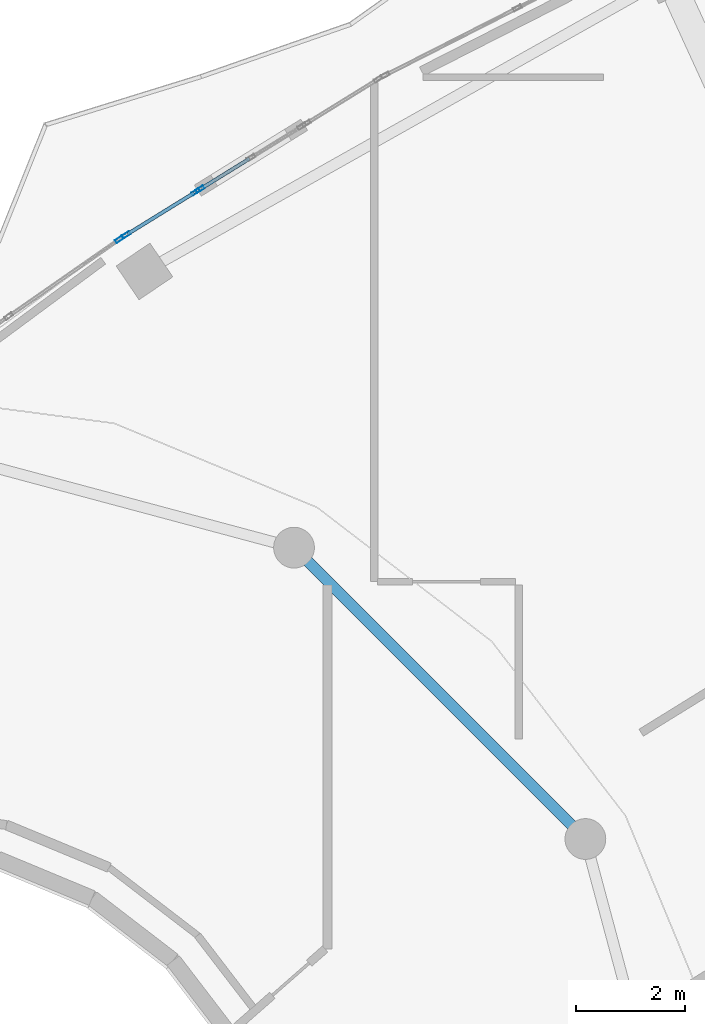
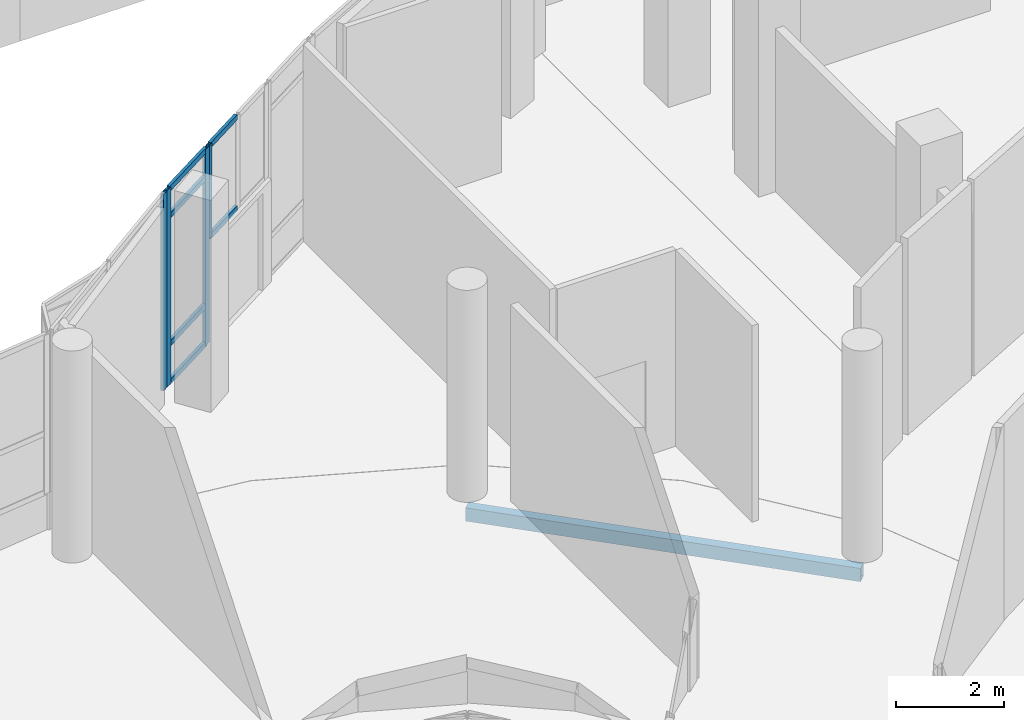
# One storey, part 66 of 168: 10 members, 1 beam, 3 elements without a shape of their own.
"""IFC4 building model written with IfcOpenShell, lengths in metres."""

from ifc_helpers import new_model, si_unit, direction, frame, origin, origin_2d, place, context, subcontext, project, spatial, hollow_rectangle, extrude, material, material_profile, profile_set, type_object, element, aggregate, save


model = new_model("IFC4")

# Units and contexts
model_context = context("Model", 3, precision=1e-05, world=origin(), true_north=direction((0.0, 1.0)))
body_context = subcontext(model_context, "Body", "Model", "MODEL_VIEW")
ifc_project = project(units=[si_unit("LENGTHUNIT", "METRE"), si_unit("AREAUNIT", "SQUARE_METRE"), si_unit("VOLUMEUNIT", "CUBIC_METRE"), si_unit("PLANEANGLEUNIT", "RADIAN"), si_unit("MASSUNIT", "GRAM", prefix="KILO")], contexts=[model_context])

# Site, building, storey
site_placement = place(None, origin())
site = spatial("IfcSite", under=ifc_project, at=site_placement, CompositionType="ELEMENT")
building_placement = place(site_placement, origin())
building = spatial("IfcBuilding", under=site, at=building_placement, Name="Selatvlak General Hospital", CompositionType="ELEMENT")
storey_placement = place(building_placement, frame((0.0, 0.0, 5.39990234375)))
storey = spatial("IfcBuildingStorey", under=building, at=storey_placement, Name="L01", CompositionType="ELEMENT", Elevation=5.39990234375)

# Beam
ifc_material_1 = material(Name="Steel S355", Category="steel")
ifc_material_profile_1 = material_profile(ifc_material_1, hollow_rectangle(XDim=0.199951171875, YDim=0.300048828125, WallThickness=0.011962890625, at=origin_2d()), Name="RHS 300x200x12")
ifc_profile_set_1 = profile_set([ifc_material_profile_1], Name="Steel S355")
beam_type = type_object("IfcBeamType", Name="BM-SP3", PredefinedType="SPANDREL", material=ifc_profile_set_1)
beam_placement = place(storey_placement, frame((110.68701171875, 61.324951171875, -0.469970703125), z_axis=(-0.707106781187, 0.707106781187, 0.0), x_axis=(-0.707106781187, -0.707106781187, 0.0)))
element("IfcBeam", 1, at=beam_placement, inside=storey, type_object=beam_type, Name="Beam BMR-L01-0712", PredefinedType="SPANDREL", context=body_context, shape_type="SweptSolid", body=[
    extrude(hollow_rectangle(XDim=0.199951171875, YDim=0.300048828125, WallThickness=0.011962890625, at=origin_2d()), origin(), (0.0, 0.0, 1.0), 7.5830078125),
])

# Curtain wall, member
ifc_material_2 = material(Name="Solar-control Low-E double glazing", Category="glass")
curtain_wall_type_1 = type_object("IfcCurtainWallType", Name="CW-CW-02", PredefinedType="USERDEFINED", material=ifc_material_2)
curtain_wall_1_placement = place(storey_placement, origin())
curtain_wall_1 = element("IfcCurtainWall", 2, at=curtain_wall_1_placement, inside=storey, type_object=curtain_wall_type_1, Name="Glazed facade curtain wall CW-L01-0220", ObjectType="UNITISED CURTAIN WALL", PredefinedType="USERDEFINED")
ifc_material_3 = material(Name="Dark anodised aluminium mullion", Category="aluminium")
ifc_material_profile_2 = material_profile(ifc_material_3, hollow_rectangle(XDim=0.06494140625, YDim=0.159912109375, WallThickness=0.00390625, at=origin_2d()), Name="AL-MUL 65x160x4")
ifc_profile_set_2 = profile_set([ifc_material_profile_2], Name="Dark anodised aluminium mullion")
member_type_1 = type_object("IfcMemberType", Name="CWM-01", PredefinedType="MULLION", material=ifc_profile_set_2)
member_1_placement = place(storey_placement, frame((102.1123046875, 72.362548828125, 0.0), z_axis=(0.0, 0.0, 1.0), x_axis=(-0.571111097841, 0.820872775723, 0.0)))
member_1 = element("IfcMember", 3, at=member_1_placement, type_object=member_type_1, Name="CW-02 mullion 3", PredefinedType="MULLION", context=body_context, shape_type="SweptSolid", body=[
    extrude(hollow_rectangle(XDim=0.06494140625, YDim=0.159912109375, WallThickness=0.00390625, at=origin_2d()), origin(), (0.0, 0.0, 1.0), 4.445068359375),
])
aggregate(curtain_wall_1, [member_1])

curtain_wall_2_placement = place(storey_placement, origin())
curtain_wall_2 = element("IfcCurtainWall", 4, at=curtain_wall_2_placement, inside=storey, type_object=curtain_wall_type_1, Name="Glazed facade curtain wall CW-L01-0221", ObjectType="UNITISED CURTAIN WALL", PredefinedType="USERDEFINED")
member_2_placement = place(storey_placement, frame((103.5966796875, 73.283203125, 2.320068359375), z_axis=(0.0, 0.0, 1.0), x_axis=(-0.526111885649, 0.850415359562, 0.0)))
member_2 = element("IfcMember", 5, at=member_2_placement, type_object=member_type_1, Name="CW-02 mullion 1", PredefinedType="MULLION", context=body_context, shape_type="SweptSolid", body=[
    extrude(hollow_rectangle(XDim=0.06494140625, YDim=0.159912109375, WallThickness=0.00390625, at=origin_2d()), origin(), (0.0, 0.0, 1.0), 2.125),
])

# Curtain wall, members
curtain_wall_type_2 = type_object("IfcCurtainWallType", Name="CW-CW-01", PredefinedType="USERDEFINED", material=ifc_material_2)
curtain_wall_3_placement = place(storey_placement, origin())
curtain_wall_3 = element("IfcCurtainWall", 6, at=curtain_wall_3_placement, inside=storey, type_object=curtain_wall_type_2, Name="Glazed facade curtain wall CW-L01-0222", ObjectType="UNITISED CURTAIN WALL", PredefinedType="USERDEFINED")
member_3_placement = place(storey_placement, frame((102.234619140625, 72.441162109375, 0.0), z_axis=(0.0, 0.0, 1.0), x_axis=(-0.525872346387, 0.850563504569, 0.0)))
member_3 = element("IfcMember", 7, at=member_3_placement, type_object=member_type_1, Name="CW-01 mullion 1", PredefinedType="MULLION", context=body_context, shape_type="SweptSolid", body=[
    extrude(hollow_rectangle(XDim=0.06494140625, YDim=0.159912109375, WallThickness=0.00390625, at=origin_2d()), origin(), (0.0, 0.0, 1.0), 4.445068359375),
])
member_4_placement = place(storey_placement, frame((103.515380859375, 73.23291015625, 0.0), z_axis=(0.0, 0.0, 1.0), x_axis=(-0.525872346387, 0.850563504569, 0.0)))
member_4 = element("IfcMember", 8, at=member_4_placement, type_object=member_type_1, Name="CW-01 mullion 2", PredefinedType="MULLION", context=body_context, shape_type="SweptSolid", body=[
    extrude(hollow_rectangle(XDim=0.06494140625, YDim=0.159912109375, WallThickness=0.00390625, at=origin_2d()), origin(), (0.0, 0.0, 1.0), 4.445068359375),
])

# Member
ifc_material_profile_3 = material_profile(ifc_material_3, hollow_rectangle(XDim=0.06494140625, YDim=0.1201171875, WallThickness=0.00390625, at=origin_2d()), Name="AL-TRN 65x120x4")
ifc_profile_set_3 = profile_set([ifc_material_profile_3], Name="Dark anodised aluminium mullion")
member_type_2 = type_object("IfcMemberType", Name="CWT-01", PredefinedType="USERDEFINED", material=ifc_profile_set_3)
member_5_placement = place(storey_placement, frame((103.624267578125, 73.30029296875, 2.3525390625), z_axis=(0.850435657631, 0.526079074123, 0.0), x_axis=(-0.526079074123, 0.850435657631, 0.0)))
member_5 = element("IfcMember", 9, at=member_5_placement, type_object=member_type_2, Name="CW-02 transom 1.1", ObjectType="TRANSOM", PredefinedType="USERDEFINED", context=body_context, shape_type="SweptSolid", body=[
    extrude(hollow_rectangle(XDim=0.06494140625, YDim=0.1201171875, WallThickness=0.00390625, at=origin_2d()), origin(), (0.0, 0.0, 1.0), 1.037109375),
])

member_6_placement = place(storey_placement, frame((103.624267578125, 73.30029296875, 4.41259765625), z_axis=(0.850435657631, 0.526079074123, 0.0), x_axis=(-0.526079074123, 0.850435657631, 0.0)))
member_6 = element("IfcMember", 10, at=member_6_placement, type_object=member_type_2, Name="CW-02 transom 1.2", ObjectType="TRANSOM", PredefinedType="USERDEFINED", context=body_context, shape_type="SweptSolid", body=[
    extrude(hollow_rectangle(XDim=0.06494140625, YDim=0.1201171875, WallThickness=0.00390625, at=origin_2d()), origin(), (0.0, 0.0, 1.0), 1.037109375),
])

aggregate(curtain_wall_2, [member_2, member_5, member_6])

member_7_placement = place(storey_placement, frame((102.26220703125, 72.458251953125, 0.03271484375), z_axis=(0.850615237888, 0.525788661985, 0.0), x_axis=(-0.525788661985, 0.850615237888, 0.0)))
member_7 = element("IfcMember", 11, at=member_7_placement, type_object=member_type_2, Name="CW-01 transom 1.1", ObjectType="TRANSOM", PredefinedType="USERDEFINED", context=body_context, shape_type="SweptSolid", body=[
    extrude(hollow_rectangle(XDim=0.06494140625, YDim=0.1201171875, WallThickness=0.00390625, at=origin_2d()), origin(), (0.0, 0.0, 1.0), 1.44091796875),
])

member_8_placement = place(storey_placement, frame((102.26220703125, 72.458251953125, 0.900146484375), z_axis=(0.850615237888, 0.525788661985, 0.0), x_axis=(-0.525788661985, 0.850615237888, 0.0)))
member_8 = element("IfcMember", 12, at=member_8_placement, type_object=member_type_2, Name="CW-01 transom 1.2", ObjectType="TRANSOM", PredefinedType="USERDEFINED", context=body_context, shape_type="SweptSolid", body=[
    extrude(hollow_rectangle(XDim=0.06494140625, YDim=0.1201171875, WallThickness=0.00390625, at=origin_2d()), origin(), (0.0, 0.0, 1.0), 1.44091796875),
])

member_9_placement = place(storey_placement, frame((102.26220703125, 72.458251953125, 3.795166015625), z_axis=(0.850615237888, 0.525788661985, 0.0), x_axis=(-0.525788661985, 0.850615237888, 0.0)))
member_9 = element("IfcMember", 13, at=member_9_placement, type_object=member_type_2, Name="CW-01 transom 1.3", ObjectType="TRANSOM", PredefinedType="USERDEFINED", context=body_context, shape_type="SweptSolid", body=[
    extrude(hollow_rectangle(XDim=0.06494140625, YDim=0.1201171875, WallThickness=0.00390625, at=origin_2d()), origin(), (0.0, 0.0, 1.0), 1.44091796875),
])

member_10_placement = place(storey_placement, frame((102.26220703125, 72.458251953125, 4.41259765625), z_axis=(0.850615237888, 0.525788661985, 0.0), x_axis=(-0.525788661985, 0.850615237888, 0.0)))
member_10 = element("IfcMember", 14, at=member_10_placement, type_object=member_type_2, Name="CW-01 transom 1.4", ObjectType="TRANSOM", PredefinedType="USERDEFINED", context=body_context, shape_type="SweptSolid", body=[
    extrude(hollow_rectangle(XDim=0.06494140625, YDim=0.1201171875, WallThickness=0.00390625, at=origin_2d()), origin(), (0.0, 0.0, 1.0), 1.44091796875),
])

aggregate(curtain_wall_3, [member_3, member_4, member_7, member_8, member_9, member_10])

save(model, "model.ifc")
